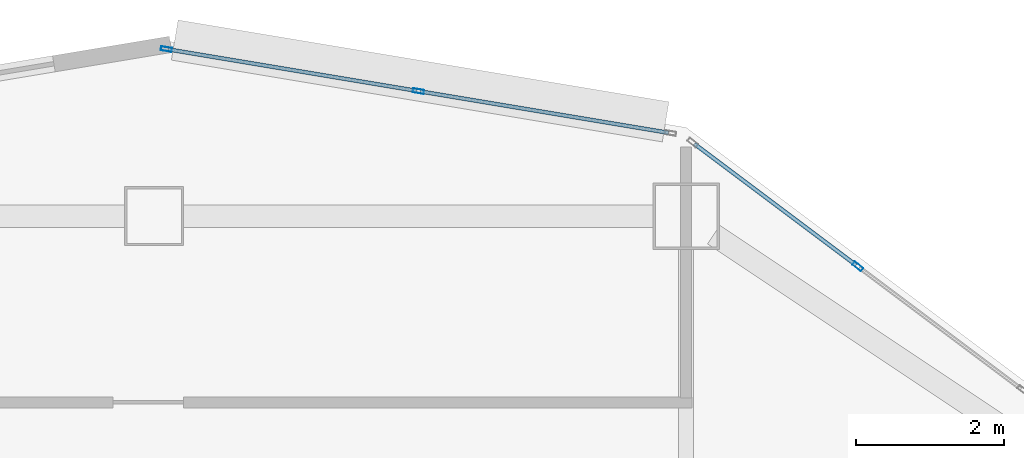
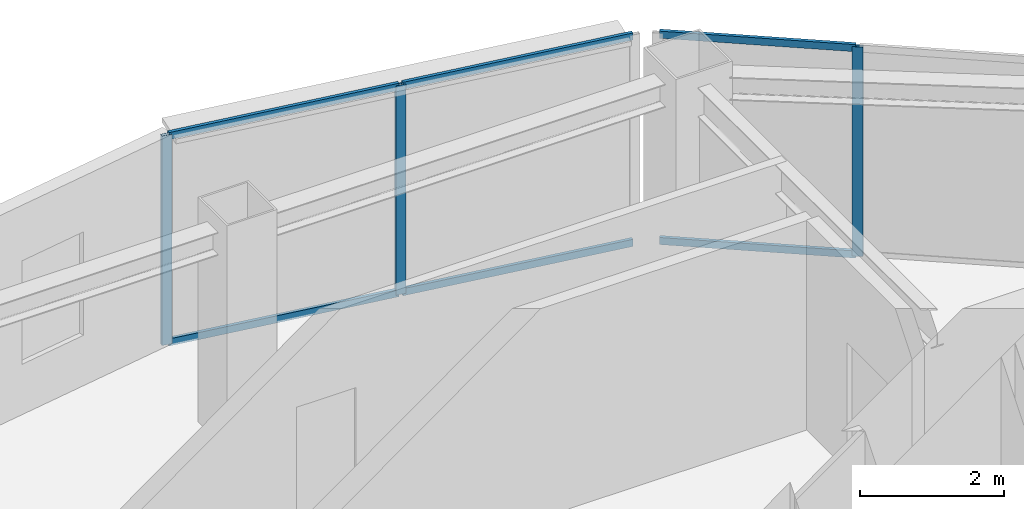
# One storey, part 2 of 12: 9 members, 2 elements without a shape of their own.
"""IFC4 building model written with IfcOpenShell, lengths in metres."""

from ifc_helpers import new_model, si_unit, direction, frame, origin, origin_2d, place, context, subcontext, project, spatial, hollow_rectangle, extrude, material, layer, layer_set, material_profile, profile_set, type_object, element, aggregate, save


model = new_model("IFC4")

# Units and contexts
model_context = context("Model", 3, precision=1e-05, world=origin(), true_north=direction((0.0, 1.0)))
body_context = subcontext(model_context, "Body", "Model", "MODEL_VIEW")
ifc_project = project(units=[si_unit("LENGTHUNIT", "METRE"), si_unit("AREAUNIT", "SQUARE_METRE"), si_unit("VOLUMEUNIT", "CUBIC_METRE"), si_unit("PLANEANGLEUNIT", "RADIAN"), si_unit("MASSUNIT", "GRAM", prefix="KILO")], contexts=[model_context])

# Site, building, storey
site_placement = place(None, origin())
site = spatial("IfcSite", under=ifc_project, at=site_placement, CompositionType="ELEMENT")
building_placement = place(site_placement, origin())
building = spatial("IfcBuilding", under=site, at=building_placement, Name="Haolan Belvedere Tower", CompositionType="ELEMENT")
storey_placement = place(building_placement, frame((0.0, 0.0, 203.199951171875)))
storey = spatial("IfcBuildingStorey", under=building, at=storey_placement, Name="L51", CompositionType="ELEMENT", Elevation=203.199951171875)

# Curtain wall, member
ifc_material_1 = material(Name="Anodised champagne-silver aluminium 6063-T6 and Low-E glass", Category="aluminium")
ifc_layer = layer(ifc_material_1, 0.14990234375, Name="Anodised champagne-silver aluminium 6063-T6 and Low-E glass")
ifc_layer_set = layer_set([ifc_layer], Name="Anodised champagne-silver aluminium 6063-T6 and Low-E glass")
curtain_wall_type = type_object("IfcCurtainWallType", Name="CW-SYS-04", PredefinedType="NOTDEFINED", material=ifc_layer_set)
curtain_wall_1_placement = place(storey_placement, origin())
curtain_wall_1 = element("IfcCurtainWall", 1, at=curtain_wall_1_placement, inside=storey, type_object=curtain_wall_type, Name="L51 CW-SYS-04 ribbon curtain wall 20.1", PredefinedType="NOTDEFINED")
ifc_material_2 = material(Name="Anodised aluminium 6063-T6", Category="aluminium")
ifc_material_profile_1 = material_profile(ifc_material_2, hollow_rectangle(XDim=0.055908203125, YDim=0.14990234375, WallThickness=0.00390625, at=origin_2d()), Name="Anodised aluminium 6063-T6")
ifc_profile_set_1 = profile_set([ifc_material_profile_1], Name="Anodised aluminium 6063-T6")
member_type_1 = type_object("IfcMemberType", Name="CW-SYS-04-MUL", PredefinedType="MULLION", material=ifc_profile_set_1)
member_1_placement = place(storey_placement, frame((47.9228515625, 49.720458984375, 0.0), z_axis=(0.0, 0.0, 1.0), x_axis=(-0.600002837806, -0.799997871638, 0.0)))
member_1 = element("IfcMember", 2, at=member_1_placement, type_object=member_type_1, Name="CW-04 mullion 2", PredefinedType="MULLION", context=body_context, shape_type="SweptSolid", body=[
    extrude(hollow_rectangle(XDim=0.055908203125, YDim=0.14990234375, WallThickness=0.00390625, at=origin_2d()), origin(), (0.0, 0.0, 1.0), 3.5400390625),
])

# Curtain wall, members
curtain_wall_2_placement = place(storey_placement, origin())
curtain_wall_2 = element("IfcCurtainWall", 3, at=curtain_wall_2_placement, inside=storey, type_object=curtain_wall_type, Name="L51 CW-SYS-04 ribbon curtain wall 21.1", PredefinedType="NOTDEFINED")
member_2_placement = place(storey_placement, frame((41.977783203125, 52.09228515625, 0.0), z_axis=(0.0, 0.0, 1.0), x_axis=(-0.164405962825, -0.98639276122, 0.0)))
member_2 = element("IfcMember", 4, at=member_2_placement, type_object=member_type_1, Name="CW-04 mullion 2", PredefinedType="MULLION", context=body_context, shape_type="SweptSolid", body=[
    extrude(hollow_rectangle(XDim=0.055908203125, YDim=0.14990234375, WallThickness=0.00390625, at=origin_2d()), origin(), (0.0, 0.0, 1.0), 3.5400390625),
])
member_3_placement = place(storey_placement, frame((38.565673828125, 52.660888671875, 0.0), z_axis=(0.0, 0.0, 1.0), x_axis=(-0.164405962825, -0.98639276122, 0.0)))
member_3 = element("IfcMember", 5, at=member_3_placement, type_object=member_type_1, Name="CW-04 mullion 3", PredefinedType="MULLION", context=body_context, shape_type="SweptSolid", body=[
    extrude(hollow_rectangle(XDim=0.055908203125, YDim=0.14990234375, WallThickness=0.00390625, at=origin_2d()), origin(), (0.0, 0.0, 1.0), 3.5400390625),
])

# Member
ifc_material_profile_2 = material_profile(ifc_material_2, hollow_rectangle(XDim=0.052001953125, YDim=0.1201171875, WallThickness=0.00390625, at=origin_2d()), Name="Anodised aluminium 6063-T6")
ifc_profile_set_2 = profile_set([ifc_material_profile_2], Name="Anodised aluminium 6063-T6")
member_type_2 = type_object("IfcMemberType", Name="CW-SYS-04-TRN", PredefinedType="USERDEFINED", material=ifc_profile_set_2)
member_4_placement = place(storey_placement, frame((47.900390625, 49.7373046875, 0.026123046875), z_axis=(-0.799978576274, 0.600028563905, 0.0), x_axis=(-0.600028563905, -0.799978576274, 0.0)))
member_4 = element("IfcMember", 6, at=member_4_placement, type_object=member_type_2, Name="CW-04 transom 2.1", ObjectType="TRANSOM", PredefinedType="USERDEFINED", context=body_context, shape_type="SweptSolid", body=[
    extrude(hollow_rectangle(XDim=0.052001953125, YDim=0.1201171875, WallThickness=0.00390625, at=origin_2d()), origin(), (0.0, 0.0, 1.0), 2.735107421875),
])

member_5_placement = place(storey_placement, frame((47.900390625, 49.7373046875, 3.51416015625), z_axis=(-0.799978576274, 0.600028563905, 0.0), x_axis=(-0.600028563905, -0.799978576274, 0.0)))
member_5 = element("IfcMember", 7, at=member_5_placement, type_object=member_type_2, Name="CW-04 transom 2.2", ObjectType="TRANSOM", PredefinedType="USERDEFINED", context=body_context, shape_type="SweptSolid", body=[
    extrude(hollow_rectangle(XDim=0.052001953125, YDim=0.1201171875, WallThickness=0.00390625, at=origin_2d()), origin(), (0.0, 0.0, 1.0), 2.735107421875),
])

aggregate(curtain_wall_1, [member_1, member_4, member_5])

member_6_placement = place(storey_placement, frame((45.362060546875, 51.528076171875, 0.026123046875), z_axis=(-0.986388106252, 0.164433888976, 0.0), x_axis=(-0.164433888976, -0.986388106252, 0.0)))
member_6 = element("IfcMember", 8, at=member_6_placement, type_object=member_type_2, Name="CW-04 transom 1.1", ObjectType="TRANSOM", PredefinedType="USERDEFINED", context=body_context, shape_type="SweptSolid", body=[
    extrude(hollow_rectangle(XDim=0.052001953125, YDim=0.1201171875, WallThickness=0.00390625, at=origin_2d()), origin(), (0.0, 0.0, 1.0), 3.403076171875),
])

member_7_placement = place(storey_placement, frame((45.362060546875, 51.528076171875, 3.51416015625), z_axis=(-0.986388106252, 0.164433888976, 0.0), x_axis=(-0.164433888976, -0.986388106252, 0.0)))
member_7 = element("IfcMember", 9, at=member_7_placement, type_object=member_type_2, Name="CW-04 transom 1.2", ObjectType="TRANSOM", PredefinedType="USERDEFINED", context=body_context, shape_type="SweptSolid", body=[
    extrude(hollow_rectangle(XDim=0.052001953125, YDim=0.1201171875, WallThickness=0.00390625, at=origin_2d()), origin(), (0.0, 0.0, 1.0), 3.403076171875),
])

member_8_placement = place(storey_placement, frame((41.9501953125, 52.096923828125, 0.026123046875), z_axis=(-0.986401678227, 0.164352454169, 0.0), x_axis=(-0.164352454169, -0.986401678227, 0.0)))
member_8 = element("IfcMember", 10, at=member_8_placement, type_object=member_type_2, Name="CW-04 transom 2.1", ObjectType="TRANSOM", PredefinedType="USERDEFINED", context=body_context, shape_type="SweptSolid", body=[
    extrude(hollow_rectangle(XDim=0.052001953125, YDim=0.1201171875, WallThickness=0.00390625, at=origin_2d()), origin(), (0.0, 0.0, 1.0), 3.4033203125),
])

member_9_placement = place(storey_placement, frame((41.9501953125, 52.096923828125, 3.51416015625), z_axis=(-0.986401678227, 0.164352454169, 0.0), x_axis=(-0.164352454169, -0.986401678227, 0.0)))
member_9 = element("IfcMember", 11, at=member_9_placement, type_object=member_type_2, Name="CW-04 transom 2.2", ObjectType="TRANSOM", PredefinedType="USERDEFINED", context=body_context, shape_type="SweptSolid", body=[
    extrude(hollow_rectangle(XDim=0.052001953125, YDim=0.1201171875, WallThickness=0.00390625, at=origin_2d()), origin(), (0.0, 0.0, 1.0), 3.4033203125),
])

aggregate(curtain_wall_2, [member_2, member_3, member_6, member_7, member_8, member_9])

save(model, "model.ifc")
